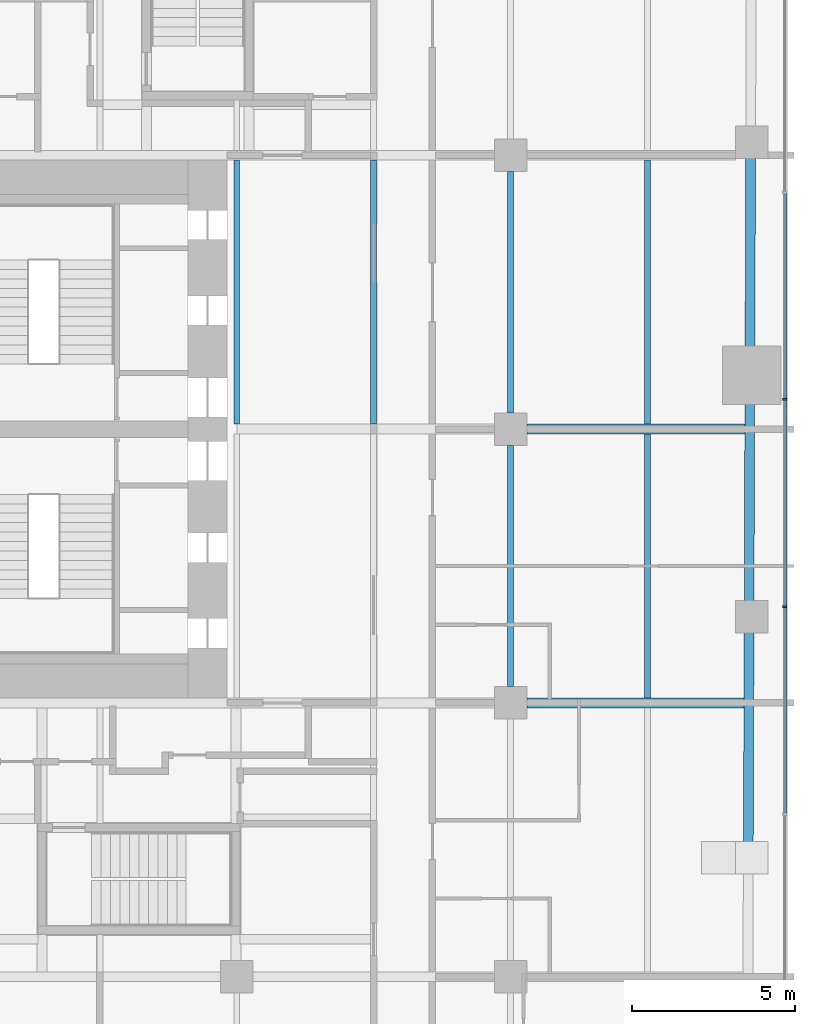
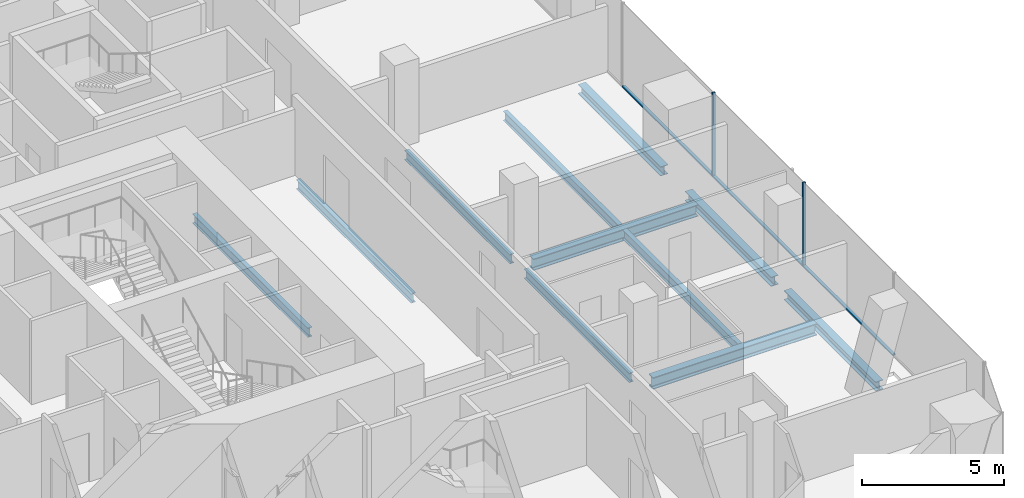
# One storey, part 8 of 27: 11 beams, 5 members, 1 element without a shape of its own.
"""IFC4 building model written with IfcOpenShell, lengths in metres."""

from ifc_helpers import new_model, si_unit, direction, frame, origin, origin_2d, place, context, subcontext, project, spatial, rectangle, i_section, extrude, material, layer, layer_set, material_profile, profile_set, type_object, element, aggregate, save


model = new_model("IFC4")

# Units and contexts
model_context = context("Model", 3, precision=1e-05, world=origin(), true_north=direction((0.0, 1.0)))
body_context = subcontext(model_context, "Body", "Model", "MODEL_VIEW")
ifc_project = project(units=[si_unit("LENGTHUNIT", "METRE"), si_unit("AREAUNIT", "SQUARE_METRE"), si_unit("VOLUMEUNIT", "CUBIC_METRE"), si_unit("PLANEANGLEUNIT", "RADIAN"), si_unit("MASSUNIT", "GRAM", prefix="KILO")], contexts=[model_context])

# Site, building, storey
site_placement = place(None, origin())
site = spatial("IfcSite", under=ifc_project, at=site_placement, CompositionType="ELEMENT")
building_placement = place(site_placement, origin())
building = spatial("IfcBuilding", under=site, at=building_placement, Name="Marenta Gate Hotel Tower", CompositionType="ELEMENT")
storey_placement = place(building_placement, frame((0.0, 0.0, 36.5)))
storey = spatial("IfcBuildingStorey", under=building, at=storey_placement, Name="L06", CompositionType="ELEMENT", Elevation=36.5)

# Beams
ifc_material_1 = material(Name="Steel S355", Category="steel")
ifc_material_profile_1 = material_profile(ifc_material_1, i_section(OverallWidth=0.300048828125, OverallDepth=0.39990234375, WebThickness=0.013427734375, FlangeThickness=0.02392578125, FilletRadius=0.027099609375, at=origin_2d()), Name="HEB 400")
ifc_profile_set_1 = profile_set([ifc_material_profile_1], Name="Steel S355")
beam_type_1 = type_object("IfcBeamType", Name="Edge beam HEB 400", PredefinedType="SPANDREL", material=ifc_profile_set_1)
beam_1_placement = place(storey_placement, frame((28.364013671875, 16.7431640625, -0.35009765625), z_axis=(-0.003306389661, -0.999994533879, 0.0), x_axis=(0.999994533879, -0.003306389661, 0.0)))
element("IfcBeam", 1, at=beam_1_placement, inside=storey, type_object=beam_type_1, Name="L06-EB-24", PredefinedType="SPANDREL", context=body_context, shape_type="SweptSolid", body=[
    extrude(i_section(OverallWidth=0.300048828125, OverallDepth=0.39990234375, WebThickness=0.013427734375, FlangeThickness=0.02392578125, FilletRadius=0.027099609375, at=origin_2d()), origin(), (0.0, 0.0, 1.0), 5.833251953125),
])
beam_2_placement = place(storey_placement, frame((28.3388671875, 9.18994140625, -0.35009765625), z_axis=(-0.003332378012, -0.999994447613, 0.0), x_axis=(0.999994447613, -0.003332378012, 0.0)))
element("IfcBeam", 2, at=beam_2_placement, inside=storey, type_object=beam_type_1, Name="L06-EB-25", PredefinedType="SPANDREL", context=body_context, shape_type="SweptSolid", body=[
    extrude(i_section(OverallWidth=0.300048828125, OverallDepth=0.39990234375, WebThickness=0.013427734375, FlangeThickness=0.02392578125, FilletRadius=0.027099609375, at=origin_2d()), origin(), (0.0, 0.0, 1.0), 6.080810546875),
])
beam_3_placement = place(storey_placement, frame((28.315673828125, 2.189208984375, -0.35009765625), z_axis=(-0.003352525703, -0.99999438027, 0.0), x_axis=(0.99999438027, -0.003352525703, 0.0)))
element("IfcBeam", 3, at=beam_3_placement, inside=storey, type_object=beam_type_1, Name="L06-EB-26", PredefinedType="SPANDREL", context=body_context, shape_type="SweptSolid", body=[
    extrude(i_section(OverallWidth=0.300048828125, OverallDepth=0.39990234375, WebThickness=0.013427734375, FlangeThickness=0.02392578125, FilletRadius=0.027099609375, at=origin_2d()), origin(), (0.0, 0.0, 1.0), 6.481201171875),
])
ifc_material_2 = material(Name="Steel S355", Category="steel")
ifc_material_profile_2 = material_profile(ifc_material_2, i_section(OverallWidth=0.179931640625, OverallDepth=0.39990234375, WebThickness=0.008544921875, FlangeThickness=0.013427734375, FilletRadius=0.02099609375, at=origin_2d()), Name="IPE 400")
ifc_profile_set_2 = profile_set([ifc_material_profile_2], Name="Steel S355")
beam_type_2 = type_object("IfcBeamType", Name="Floor beam IPE 400", PredefinedType="JOIST", material=ifc_profile_set_2)
for number, where, z_axis, x_axis, name in (
    (4, (12.60009765625, 8.550048828125, -0.35009765625), (0.0, 1.0, 0.0), (-1.0, 0.0, 0.0), "L06-FB-51"),
    (5, (16.800048828125, 8.550048828125, -0.35009765625), (0.0, 1.0, 0.0), (-1.0, 0.0, 0.0), "L06-FB-57"),
):
    element("IfcBeam", number, at=place(storey_placement, frame(where, z_axis=z_axis, x_axis=x_axis)), inside=storey, type_object=beam_type_2, Name=name, PredefinedType="JOIST", context=body_context, shape_type="SweptSolid", body=[
        extrude(i_section(OverallWidth=0.179931640625, OverallDepth=0.39990234375, WebThickness=0.008544921875, FlangeThickness=0.013427734375, FilletRadius=0.02099609375, at=origin_2d()), origin(), (0.0, 0.0, 1.0), 8.099853515625),
    ])
beam_4_placement = place(storey_placement, frame((21.0, 0.5, -0.35009765625), z_axis=(0.0, 1.0, 0.0), x_axis=(-1.0, 0.0, 0.0)))
element("IfcBeam", 6, at=beam_4_placement, inside=storey, type_object=beam_type_2, Name="L06-FB-62", PredefinedType="JOIST", context=body_context, shape_type="SweptSolid", body=[
    extrude(i_section(OverallWidth=0.179931640625, OverallDepth=0.39990234375, WebThickness=0.008544921875, FlangeThickness=0.013427734375, FilletRadius=0.02099609375, at=origin_2d()), origin(), (0.0, 0.0, 1.0), 7.39990234375),
])
beam_5_placement = place(storey_placement, frame((21.0, 8.89990234375, -0.35009765625), z_axis=(0.0, 1.0, 0.0), x_axis=(-1.0, 0.0, 0.0)))
element("IfcBeam", 7, at=beam_5_placement, inside=storey, type_object=beam_type_2, Name="L06-FB-63", PredefinedType="JOIST", context=body_context, shape_type="SweptSolid", body=[
    extrude(i_section(OverallWidth=0.179931640625, OverallDepth=0.39990234375, WebThickness=0.008544921875, FlangeThickness=0.013427734375, FilletRadius=0.02099609375, at=origin_2d()), origin(), (0.0, 0.0, 1.0), 7.400146484375),
])
beam_6_placement = place(storey_placement, frame((25.199951171875, 0.14990234375, -0.35009765625), z_axis=(0.0, 1.0, 0.0), x_axis=(-1.0, 0.0, 0.0)))
element("IfcBeam", 8, at=beam_6_placement, inside=storey, type_object=beam_type_2, Name="L06-FB-68", PredefinedType="JOIST", context=body_context, shape_type="SweptSolid", body=[
    extrude(i_section(OverallWidth=0.179931640625, OverallDepth=0.39990234375, WebThickness=0.008544921875, FlangeThickness=0.013427734375, FilletRadius=0.02099609375, at=origin_2d()), origin(), (0.0, 0.0, 1.0), 8.10009765625),
])
beam_7_placement = place(storey_placement, frame((25.199951171875, 8.550048828125, -0.35009765625), z_axis=(0.0, 1.0, 0.0), x_axis=(-1.0, 0.0, 0.0)))
element("IfcBeam", 9, at=beam_7_placement, inside=storey, type_object=beam_type_2, Name="L06-FB-69", PredefinedType="JOIST", context=body_context, shape_type="SweptSolid", body=[
    extrude(i_section(OverallWidth=0.179931640625, OverallDepth=0.39990234375, WebThickness=0.008544921875, FlangeThickness=0.013427734375, FilletRadius=0.02099609375, at=origin_2d()), origin(), (0.0, 0.0, 1.0), 8.099853515625),
])
ifc_material_3 = material(Name="Steel S355", Category="steel")
ifc_material_profile_3 = material_profile(ifc_material_3, i_section(OverallWidth=0.300048828125, OverallDepth=0.5, WebThickness=0.014404296875, FlangeThickness=0.028076171875, FilletRadius=0.027099609375, at=origin_2d()), Name="HEB 500")
ifc_profile_set_3 = profile_set([ifc_material_profile_3], Name="Steel S355")
beam_type_3 = type_object("IfcBeamType", Name="Girder HEB 500", PredefinedType="BEAM", material=ifc_profile_set_3)
beam_8_placement = place(storey_placement, frame((21.5, 0.0, -0.39990234375), z_axis=(1.0, 0.0, 0.0), x_axis=(0.0, 1.0, 0.0)))
element("IfcBeam", 10, at=beam_8_placement, inside=storey, type_object=beam_type_3, Name="L06-GD-12", PredefinedType="BEAM", context=body_context, shape_type="SweptSolid", body=[
    extrude(i_section(OverallWidth=0.300048828125, OverallDepth=0.5, WebThickness=0.014404296875, FlangeThickness=0.028076171875, FilletRadius=0.027099609375, at=origin_2d()), origin(), (0.0, 0.0, 1.0), 6.658203125),
])
beam_9_placement = place(storey_placement, frame((21.5, 8.39990234375, -0.39990234375), z_axis=(1.0, 0.0, 0.0), x_axis=(0.0, 1.0, 0.0)))
element("IfcBeam", 11, at=beam_9_placement, inside=storey, type_object=beam_type_3, Name="L06-GD-16", PredefinedType="BEAM", context=body_context, shape_type="SweptSolid", body=[
    extrude(i_section(OverallWidth=0.300048828125, OverallDepth=0.5, WebThickness=0.014404296875, FlangeThickness=0.028076171875, FilletRadius=0.027099609375, at=origin_2d()), origin(), (0.0, 0.0, 1.0), 6.686279296875),
])

# Curtain wall, members
ifc_material_4 = material(Name="Tinted insulated glass in bronze anodised frame", Category="glass")
ifc_layer = layer(ifc_material_4, 0.1201171875)
ifc_layer_set = layer_set([ifc_layer], Name="Tinted insulated glass in bronze anodised frame")
curtain_wall_type = type_object("IfcCurtainWallType", Name="Tower unitised curtain wall CW1", PredefinedType="NOTDEFINED", material=ifc_layer_set)
curtain_wall_placement = place(storey_placement, origin())
curtain_wall = element("IfcCurtainWall", 12, at=curtain_wall_placement, inside=storey, type_object=curtain_wall_type, Name="CW1 run G11", PredefinedType="NOTDEFINED")
ifc_material_5 = material(Name="Bronze anodised aluminium", Category="aluminium")
ifc_material_profile_4 = material_profile(ifc_material_5, rectangle(XDim=0.1201171875, YDim=0.06005859375, at=origin_2d()), Name="Mullion CW1 60x120 bronze anodised aluminium")
ifc_profile_set_4 = profile_set([ifc_material_profile_4], Name="Bronze anodised aluminium")
member_type_1 = type_object("IfcMemberType", Name="Mullion CW1 60x120 bronze anodised aluminium", PredefinedType="MULLION", material=ifc_profile_set_4)
member_1_placement = place(storey_placement, frame((29.4140625, 2.951904296875, 0.0), z_axis=(0.0, 0.0, 1.0), x_axis=(-1.0, 0.0, 0.0)))
member_1 = element("IfcMember", 13, at=member_1_placement, type_object=member_type_1, Name="CW1 mullion 3", PredefinedType="MULLION", context=body_context, shape_type="SweptSolid", body=[
    extrude(rectangle(XDim=0.1201171875, YDim=0.06005859375, at=origin_2d()), origin(), (0.0, 0.0, 1.0), 3.60009765625),
])
member_2_placement = place(storey_placement, frame((29.4140625, 9.31201171875, 0.0), z_axis=(0.0, 0.0, 1.0), x_axis=(-1.0, 0.0, 0.0)))
member_2 = element("IfcMember", 14, at=member_2_placement, type_object=member_type_1, Name="CW1 mullion 4", PredefinedType="MULLION", context=body_context, shape_type="SweptSolid", body=[
    extrude(rectangle(XDim=0.1201171875, YDim=0.06005859375, at=origin_2d()), origin(), (0.0, 0.0, 1.0), 3.60009765625),
])
ifc_material_6 = material(Name="Bronze anodised aluminium", Category="aluminium")
ifc_material_profile_5 = material_profile(ifc_material_6, rectangle(XDim=0.1201171875, YDim=0.06005859375, at=origin_2d()), Name="Transom CW1 60x120 bronze anodised aluminium")
ifc_profile_set_5 = profile_set([ifc_material_profile_5], Name="Bronze anodised aluminium")
member_type_2 = type_object("IfcMemberType", Name="Transom CW1 60x120 bronze anodised aluminium", PredefinedType="USERDEFINED", material=ifc_profile_set_5)
member_3_placement = place(storey_placement, frame((29.4140625, -3.3779296875, 0.030029296875), z_axis=(0.0, 1.0, 0.0), x_axis=(-1.0, 0.0, 0.0)))
member_3 = element("IfcMember", 15, at=member_3_placement, type_object=member_type_2, Name="CW1 transom 2.1", ObjectType="TRANSOM", PredefinedType="USERDEFINED", context=body_context, shape_type="SweptSolid", body=[
    extrude(rectangle(XDim=0.1201171875, YDim=0.06005859375, at=origin_2d()), origin(), (0.0, 0.0, 1.0), 6.2998046875),
])
member_4_placement = place(storey_placement, frame((29.4140625, 2.98193359375, 0.030029296875), z_axis=(0.0, 1.0, 0.0), x_axis=(-1.0, 0.0, 0.0)))
member_4 = element("IfcMember", 16, at=member_4_placement, type_object=member_type_2, Name="CW1 transom 3.1", ObjectType="TRANSOM", PredefinedType="USERDEFINED", context=body_context, shape_type="SweptSolid", body=[
    extrude(rectangle(XDim=0.1201171875, YDim=0.06005859375, at=origin_2d()), origin(), (0.0, 0.0, 1.0), 6.300048828125),
])
member_5_placement = place(storey_placement, frame((29.4140625, 9.342041015625, 0.030029296875), z_axis=(0.0, 1.0, 0.0), x_axis=(-1.0, 0.0, 0.0)))
member_5 = element("IfcMember", 17, at=member_5_placement, type_object=member_type_2, Name="CW1 transom 4.1", ObjectType="TRANSOM", PredefinedType="USERDEFINED", context=body_context, shape_type="SweptSolid", body=[
    extrude(rectangle(XDim=0.1201171875, YDim=0.06005859375, at=origin_2d()), origin(), (0.0, 0.0, 1.0), 6.2998046875),
])
aggregate(curtain_wall, [member_1, member_2, member_3, member_4, member_5])

save(model, "model.ifc")
